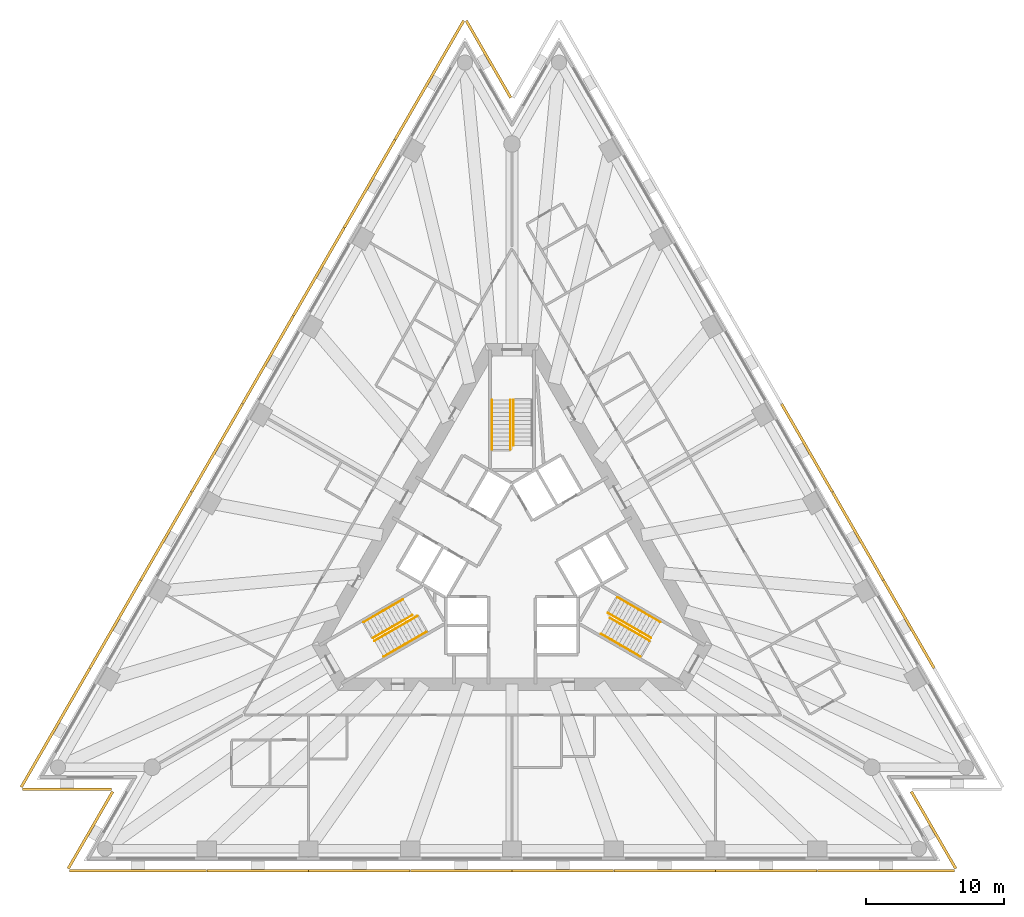
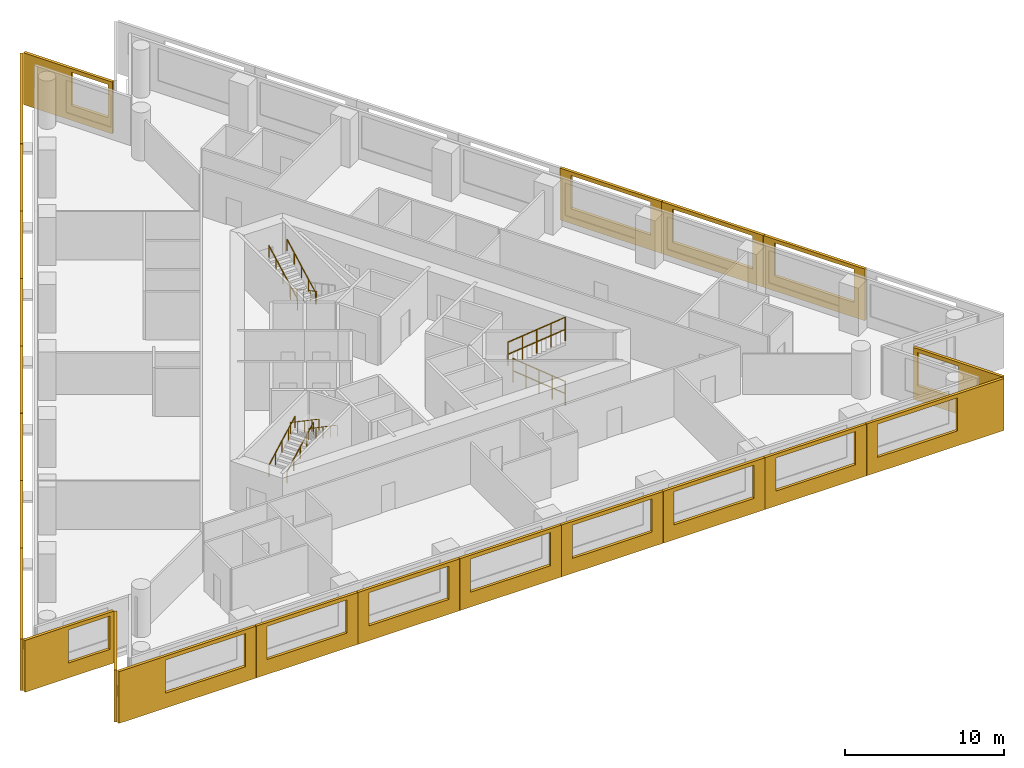
# One storey, part 10 of 11: 23 shading devices, 11 railings, 3 elements without a shape of their own.
"""IFC4 building model written with IfcOpenShell, lengths in metres."""

from ifc_helpers import new_model, si_unit, direction, frame, origin, origin_2d, place, context, subcontext, project, spatial, polyline, circle, outline, extrude, material, layer, layer_set, type_object, element, aggregate, save


model = new_model("IFC4")

# Units and contexts
model_context = context("Model", 3, precision=1e-05, world=origin(), true_north=direction((0.0, 1.0)))
body_context = subcontext(model_context, "Body", "Model", "MODEL_VIEW")
ifc_project = project(units=[si_unit("LENGTHUNIT", "METRE"), si_unit("AREAUNIT", "SQUARE_METRE"), si_unit("VOLUMEUNIT", "CUBIC_METRE"), si_unit("PLANEANGLEUNIT", "RADIAN"), si_unit("MASSUNIT", "GRAM", prefix="KILO")], contexts=[model_context])

# Site, building, storey
site_placement = place(None, origin())
site = spatial("IfcSite", under=ifc_project, at=site_placement, CompositionType="ELEMENT")
building_placement = place(site_placement, origin())
building = spatial("IfcBuilding", under=site, at=building_placement, Name="Triada Interchange Tower", CompositionType="ELEMENT")
storey_placement = place(building_placement, frame((0.0, 0.0, 59.300048828125)))
storey = spatial("IfcBuildingStorey", under=building, at=storey_placement, Name="L12", CompositionType="ELEMENT", Elevation=59.300048828125)

# Shading devices
ifc_material_1 = material(Name="Concrete C50/60 precast", Category="concrete")
ifc_layer_1 = layer(ifc_material_1, 0.02001953125, Name="Exposed aggregate face")
ifc_layer_2 = layer(ifc_material_1, 0.179931640625, Name="Precast concrete screen")
ifc_layer_set = layer_set([ifc_layer_1, ifc_layer_2], Name="Outer skin screen panel 3980")
shading_device_type = type_object("IfcShadingDeviceType", Name="Outer skin screen panel 3980", PredefinedType="SHUTTER", material=ifc_layer_set)
shading_device_1_placement = place(storey_placement, frame((-3.4208984375, 39.10400390625, -0.2900390625), z_axis=(0.0, 0.0, 1.0), x_axis=(-0.500018507784, -0.866014718047, 0.0)))
element("IfcShadingDevice", 1, at=shading_device_1_placement, inside=storey, type_object=shading_device_type, Name="Outer skin screen panel L12 01", PredefinedType="SHUTTER", context=body_context, shape_type="SweptSolid", body=[
    extrude(outline(polyline([(0.0, 0.0), (9.9697265625, 0.0), (9.9697265625, 3.97998046875), (0.0, 3.97998046875), (0.0, 0.0)]), holes=[polyline([(3.383544921875, 1.139892578125), (3.383544921875, 3.68994140625), (9.18359375, 3.68994140625), (9.18359375, 1.139892578125), (3.383544921875, 1.139892578125)])]), frame((0.0, 0.0, 0.0), z_axis=(0.0, -1.0, 0.0), x_axis=(1.0, 0.0, 0.0)), (0.0, 0.0, 1.0), 0.199951171875),
])
shading_device_2_placement = place(storey_placement, frame((-8.416015625, 30.452880859375, -0.2900390625), z_axis=(0.0, 0.0, 1.0), x_axis=(-0.500035896667, -0.866004677842, 0.0)))
element("IfcShadingDevice", 2, at=shading_device_2_placement, inside=storey, type_object=shading_device_type, Name="Outer skin screen panel L12 02", PredefinedType="SHUTTER", context=body_context, shape_type="SweptSolid", body=[
    extrude(outline(polyline([(0.0, 0.0), (7.37158203125, 0.0), (7.37158203125, 3.97998046875), (0.0, 3.97998046875), (0.0, 0.0)]), holes=[polyline([(0.785888671875, 1.139892578125), (0.785888671875, 3.68994140625), (6.585693359375, 3.68994140625), (6.585693359375, 1.139892578125), (0.785888671875, 1.139892578125)])]), frame((0.0, 0.0, 0.0), z_axis=(0.0, -1.0, 0.0), x_axis=(1.0, 0.0, 0.0)), (0.0, 0.0, 1.0), 0.199951171875),
])
shading_device_3_placement = place(storey_placement, frame((-12.112060546875, 24.052001953125, -0.2900390625), z_axis=(0.0, 0.0, 1.0), x_axis=(-0.500021555226, -0.866012958511, 0.0)))
element("IfcShadingDevice", 3, at=shading_device_3_placement, inside=storey, type_object=shading_device_type, Name="Outer skin screen panel L12 03", PredefinedType="SHUTTER", context=body_context, shape_type="SweptSolid", body=[
    extrude(outline(polyline([(0.0, 0.0), (7.371826171875, 0.0), (7.371826171875, 3.97998046875), (0.0, 3.97998046875), (0.0, 0.0)]), holes=[polyline([(0.7861328125, 1.139892578125), (0.7861328125, 3.68994140625), (6.586181640625, 3.68994140625), (6.586181640625, 1.139892578125), (0.7861328125, 1.139892578125)])]), frame((0.0, 0.0, 0.0), z_axis=(0.0, -1.0, 0.0), x_axis=(1.0, 0.0, 0.0)), (0.0, 0.0, 1.0), 0.199951171875),
])
shading_device_4_placement = place(storey_placement, frame((-15.80810546875, 17.64990234375, -0.2900390625), z_axis=(0.0, 0.0, 1.0), x_axis=(-0.500011057729, -0.866019019507, 0.0)))
element("IfcShadingDevice", 4, at=shading_device_4_placement, inside=storey, type_object=shading_device_type, Name="Outer skin screen panel L12 04", PredefinedType="SHUTTER", context=body_context, shape_type="SweptSolid", body=[
    extrude(outline(polyline([(0.0, 0.0), (7.371337890625, 0.0), (7.371337890625, 3.97998046875), (0.0, 3.97998046875), (0.0, 0.0)]), holes=[polyline([(0.785400390625, 1.139892578125), (0.785400390625, 3.68994140625), (6.58544921875, 3.68994140625), (6.58544921875, 1.139892578125), (0.785400390625, 1.139892578125)])]), frame((0.0, 0.0, 0.0), z_axis=(0.0, -1.0, 0.0), x_axis=(1.0, 0.0, 0.0)), (0.0, 0.0, 1.0), 0.199951171875),
])
shading_device_5_placement = place(storey_placement, frame((-19.50390625, 11.2490234375, -0.2900390625), z_axis=(0.0, 0.0, 1.0), x_axis=(-0.499922193019, -0.866070321006, 0.0)))
element("IfcShadingDevice", 5, at=shading_device_5_placement, inside=storey, type_object=shading_device_type, Name="Outer skin screen panel L12 05", PredefinedType="SHUTTER", context=body_context, shape_type="SweptSolid", body=[
    extrude(outline(polyline([(0.0, 0.0), (7.371337890625, 0.0), (7.371337890625, 3.97998046875), (0.0, 3.97998046875), (0.0, 0.0)]), holes=[polyline([(0.785888671875, 1.139892578125), (0.785888671875, 3.68994140625), (6.585693359375, 3.68994140625), (6.585693359375, 1.139892578125), (0.785888671875, 1.139892578125)])]), frame((0.0, 0.0, 0.0), z_axis=(0.0, -1.0, 0.0), x_axis=(1.0, 0.0, 0.0)), (0.0, 0.0, 1.0), 0.199951171875),
])
shading_device_6_placement = place(storey_placement, frame((-23.198974609375, 4.847900390625, -0.2900390625), z_axis=(0.0, 0.0, 1.0), x_axis=(-0.499964196315, -0.866046074065, 0.0)))
element("IfcShadingDevice", 6, at=shading_device_6_placement, inside=storey, type_object=shading_device_type, Name="Outer skin screen panel L12 06", PredefinedType="SHUTTER", context=body_context, shape_type="SweptSolid", body=[
    extrude(outline(polyline([(0.0, 0.0), (7.37255859375, 0.0), (7.37255859375, 3.97998046875), (0.0, 3.97998046875), (0.0, 0.0)]), holes=[polyline([(0.7861328125, 1.139892578125), (0.7861328125, 3.68994140625), (6.586181640625, 3.68994140625), (6.586181640625, 1.139892578125), (0.7861328125, 1.139892578125)])]), frame((0.0, 0.0, 0.0), z_axis=(0.0, -1.0, 0.0), x_axis=(1.0, 0.0, 0.0)), (0.0, 0.0, 1.0), 0.199951171875),
])
shading_device_7_placement = place(storey_placement, frame((-26.89501953125, -1.553955078125, -0.2900390625), z_axis=(0.0, 0.0, 1.0), x_axis=(-0.500021555226, -0.866012958511, 0.0)))
element("IfcShadingDevice", 7, at=shading_device_7_placement, inside=storey, type_object=shading_device_type, Name="Outer skin screen panel L12 07", PredefinedType="SHUTTER", context=body_context, shape_type="SweptSolid", body=[
    extrude(outline(polyline([(0.0, 0.0), (7.371826171875, 0.0), (7.371826171875, 3.97998046875), (0.0, 3.97998046875), (0.0, 0.0)]), holes=[polyline([(0.785400390625, 1.139892578125), (0.785400390625, 3.68994140625), (6.58544921875, 3.68994140625), (6.58544921875, 1.139892578125), (0.785400390625, 1.139892578125)])]), frame((0.0, 0.0, 0.0), z_axis=(0.0, -1.0, 0.0), x_axis=(1.0, 0.0, 0.0)), (0.0, 0.0, 1.0), 0.199951171875),
])
shading_device_8_placement = place(storey_placement, frame((-30.591064453125, -7.955078125, -0.2900390625), z_axis=(0.0, 0.0, 1.0), x_axis=(-0.500000141972, -0.866025321817, 0.0)))
element("IfcShadingDevice", 8, at=shading_device_8_placement, inside=storey, type_object=shading_device_type, Name="Outer skin screen panel L12 08", PredefinedType="SHUTTER", context=body_context, shape_type="SweptSolid", body=[
    extrude(outline(polyline([(0.0, 0.0), (9.9697265625, 0.0), (9.9697265625, 3.97998046875), (0.0, 3.97998046875), (0.0, 0.0)]), holes=[polyline([(0.78564453125, 1.139892578125), (0.78564453125, 3.68994140625), (6.585693359375, 3.68994140625), (6.585693359375, 1.139892578125), (0.78564453125, 1.139892578125)])]), frame((0.0, 0.0, 0.0), z_axis=(0.0, -1.0, 0.0), x_axis=(1.0, 0.0, 0.0)), (0.0, 0.0, 1.0), 0.199951171875),
])
shading_device_9_placement = place(storey_placement, frame((-35.571044921875, -16.597900390625, -0.2900390625), z_axis=(0.0, 0.0, 1.0), x_axis=(1.0, 0.0, 0.0)))
element("IfcShadingDevice", 9, at=shading_device_9_placement, inside=storey, type_object=shading_device_type, Name="Outer skin screen panel L12 09", PredefinedType="SHUTTER", context=body_context, shape_type="SweptSolid", body=[
    extrude(outline(polyline([(0.0, 0.0), (6.466064453125, 0.0), (6.466064453125, 3.97998046875), (0.0, 3.97998046875), (0.0, 0.0)]), holes=[polyline([(3.175048828125, 1.139892578125), (3.175048828125, 3.68994140625), (6.166015625, 3.68994140625), (6.166015625, 1.139892578125), (3.175048828125, 1.139892578125)])]), frame((0.0, 0.0, 0.0), z_axis=(0.0, -1.0, 0.0), x_axis=(1.0, 0.0, 0.0)), (0.0, 0.0, 1.0), 0.199951171875),
])
shading_device_10_placement = place(storey_placement, frame((-28.926025390625, -16.906982421875, -0.2900390625), z_axis=(0.0, 0.0, 1.0), x_axis=(-0.500029706002, -0.866008252337, 0.0)))
element("IfcShadingDevice", 10, at=shading_device_10_placement, inside=storey, type_object=shading_device_type, Name="Outer skin screen panel L12 10", PredefinedType="SHUTTER", context=body_context, shape_type="SweptSolid", body=[
    extrude(outline(polyline([(0.0, 0.0), (6.46533203125, 0.0), (6.46533203125, 3.97998046875), (0.0, 3.97998046875), (0.0, 0.0)]), holes=[polyline([(0.300048828125, 1.139892578125), (0.300048828125, 3.68994140625), (2.9580078125, 3.68994140625), (2.9580078125, 1.139892578125), (0.300048828125, 1.139892578125)])]), frame((0.0, 0.0, 0.0), z_axis=(0.0, -1.0, 0.0), x_axis=(1.0, 0.0, 0.0)), (0.0, 0.0, 1.0), 0.199951171875),
])
shading_device_11_placement = place(storey_placement, frame((-32.154052734375, -22.514892578125, -0.2900390625), z_axis=(0.0, 0.0, 1.0), x_axis=(1.0, 0.0, 0.0)))
element("IfcShadingDevice", 11, at=shading_device_11_placement, inside=storey, type_object=shading_device_type, Name="Outer skin screen panel L12 11", PredefinedType="SHUTTER", context=body_context, shape_type="SweptSolid", body=[
    extrude(outline(polyline([(0.0, 0.0), (9.969970703125, 0.0), (9.969970703125, 3.97998046875), (0.0, 3.97998046875), (0.0, 0.0)]), holes=[polyline([(3.384033203125, 1.139892578125), (3.384033203125, 3.68994140625), (9.18408203125, 3.68994140625), (9.18408203125, 1.139892578125), (3.384033203125, 1.139892578125)])]), frame((0.0, 0.0, 0.0), z_axis=(0.0, -1.0, 0.0), x_axis=(1.0, 0.0, 0.0)), (0.0, 0.0, 1.0), 0.199951171875),
])
shading_device_12_placement = place(storey_placement, frame((-22.1640625, -22.514892578125, -0.2900390625), z_axis=(0.0, 0.0, 1.0), x_axis=(1.0, 0.0, 0.0)))
element("IfcShadingDevice", 12, at=shading_device_12_placement, inside=storey, type_object=shading_device_type, Name="Outer skin screen panel L12 12", PredefinedType="SHUTTER", context=body_context, shape_type="SweptSolid", body=[
    extrude(outline(polyline([(0.0, 0.0), (7.37109375, 0.0), (7.37109375, 3.97998046875), (0.0, 3.97998046875), (0.0, 0.0)]), holes=[polyline([(0.785400390625, 1.139892578125), (0.785400390625, 3.68994140625), (6.58544921875, 3.68994140625), (6.58544921875, 1.139892578125), (0.785400390625, 1.139892578125)])]), frame((0.0, 0.0, 0.0), z_axis=(0.0, -1.0, 0.0), x_axis=(1.0, 0.0, 0.0)), (0.0, 0.0, 1.0), 0.199951171875),
])
shading_device_13_placement = place(storey_placement, frame((-14.77294921875, -22.514892578125, -0.2900390625), z_axis=(0.0, 0.0, 1.0), x_axis=(1.0, 0.0, 0.0)))
element("IfcShadingDevice", 13, at=shading_device_13_placement, inside=storey, type_object=shading_device_type, Name="Outer skin screen panel L12 13", PredefinedType="SHUTTER", context=body_context, shape_type="SweptSolid", body=[
    extrude(outline(polyline([(0.0, 0.0), (7.370849609375, 0.0), (7.370849609375, 3.97998046875), (0.0, 3.97998046875), (0.0, 0.0)]), holes=[polyline([(0.785888671875, 1.139892578125), (0.785888671875, 3.68994140625), (6.5859375, 3.68994140625), (6.5859375, 1.139892578125), (0.785888671875, 1.139892578125)])]), frame((0.0, 0.0, 0.0), z_axis=(0.0, -1.0, 0.0), x_axis=(1.0, 0.0, 0.0)), (0.0, 0.0, 1.0), 0.199951171875),
])
shading_device_14_placement = place(storey_placement, frame((-7.381103515625, -22.514892578125, -0.2900390625), z_axis=(0.0, 0.0, 1.0), x_axis=(1.0, 0.0, 0.0)))
element("IfcShadingDevice", 14, at=shading_device_14_placement, inside=storey, type_object=shading_device_type, Name="Outer skin screen panel L12 14", PredefinedType="SHUTTER", context=body_context, shape_type="SweptSolid", body=[
    extrude(outline(polyline([(0.0, 0.0), (7.37109375, 0.0), (7.37109375, 3.97998046875), (0.0, 3.97998046875), (0.0, 0.0)]), holes=[polyline([(0.785400390625, 1.139892578125), (0.785400390625, 3.68994140625), (6.58544921875, 3.68994140625), (6.58544921875, 1.139892578125), (0.785400390625, 1.139892578125)])]), frame((0.0, 0.0, 0.0), z_axis=(0.0, -1.0, 0.0), x_axis=(1.0, 0.0, 0.0)), (0.0, 0.0, 1.0), 0.199951171875),
])
shading_device_15_placement = place(storey_placement, frame((0.010009765625, -22.514892578125, -0.2900390625), z_axis=(0.0, 0.0, 1.0), x_axis=(1.0, 0.0, 0.0)))
element("IfcShadingDevice", 15, at=shading_device_15_placement, inside=storey, type_object=shading_device_type, Name="Outer skin screen panel L12 15", PredefinedType="SHUTTER", context=body_context, shape_type="SweptSolid", body=[
    extrude(outline(polyline([(0.0, 0.0), (7.37109375, 0.0), (7.37109375, 3.97998046875), (0.0, 3.97998046875), (0.0, 0.0)]), holes=[polyline([(0.785888671875, 1.139892578125), (0.785888671875, 3.68994140625), (6.5859375, 3.68994140625), (6.5859375, 1.139892578125), (0.785888671875, 1.139892578125)])]), frame((0.0, 0.0, 0.0), z_axis=(0.0, -1.0, 0.0), x_axis=(1.0, 0.0, 0.0)), (0.0, 0.0, 1.0), 0.199951171875),
])
shading_device_16_placement = place(storey_placement, frame((7.40087890625, -22.514892578125, -0.2900390625), z_axis=(0.0, 0.0, 1.0), x_axis=(1.0, 0.0, 0.0)))
element("IfcShadingDevice", 16, at=shading_device_16_placement, inside=storey, type_object=shading_device_type, Name="Outer skin screen panel L12 16", PredefinedType="SHUTTER", context=body_context, shape_type="SweptSolid", body=[
    extrude(outline(polyline([(0.0, 0.0), (7.3720703125, 0.0), (7.3720703125, 3.97998046875), (0.0, 3.97998046875), (0.0, 0.0)]), holes=[polyline([(0.785400390625, 1.139892578125), (0.785400390625, 3.68994140625), (6.58544921875, 3.68994140625), (6.58544921875, 1.139892578125), (0.785400390625, 1.139892578125)])]), frame((0.0, 0.0, 0.0), z_axis=(0.0, -1.0, 0.0), x_axis=(1.0, 0.0, 0.0)), (0.0, 0.0, 1.0), 0.199951171875),
])
shading_device_17_placement = place(storey_placement, frame((14.79296875, -22.514892578125, -0.2900390625), z_axis=(0.0, 0.0, 1.0), x_axis=(1.0, 0.0, 0.0)))
element("IfcShadingDevice", 17, at=shading_device_17_placement, inside=storey, type_object=shading_device_type, Name="Outer skin screen panel L12 17", PredefinedType="SHUTTER", context=body_context, shape_type="SweptSolid", body=[
    extrude(outline(polyline([(0.0, 0.0), (7.37109375, 0.0), (7.37109375, 3.97998046875), (0.0, 3.97998046875), (0.0, 0.0)]), holes=[polyline([(0.785888671875, 1.139892578125), (0.785888671875, 3.68994140625), (6.5859375, 3.68994140625), (6.5859375, 1.139892578125), (0.785888671875, 1.139892578125)])]), frame((0.0, 0.0, 0.0), z_axis=(0.0, -1.0, 0.0), x_axis=(1.0, 0.0, 0.0)), (0.0, 0.0, 1.0), 0.199951171875),
])
shading_device_18_placement = place(storey_placement, frame((22.18408203125, -22.514892578125, -0.2900390625), z_axis=(0.0, 0.0, 1.0), x_axis=(1.0, 0.0, 0.0)))
element("IfcShadingDevice", 18, at=shading_device_18_placement, inside=storey, type_object=shading_device_type, Name="Outer skin screen panel L12 18", PredefinedType="SHUTTER", context=body_context, shape_type="SweptSolid", body=[
    extrude(outline(polyline([(0.0, 0.0), (9.969970703125, 0.0), (9.969970703125, 3.97998046875), (0.0, 3.97998046875), (0.0, 0.0)]), holes=[polyline([(0.785400390625, 1.139892578125), (0.785400390625, 3.68994140625), (6.58544921875, 3.68994140625), (6.58544921875, 1.139892578125), (0.785400390625, 1.139892578125)])]), frame((0.0, 0.0, 0.0), z_axis=(0.0, -1.0, 0.0), x_axis=(1.0, 0.0, 0.0)), (0.0, 0.0, 1.0), 0.199951171875),
])
shading_device_19_placement = place(storey_placement, frame((32.158935546875, -22.506103515625, -0.2900390625), z_axis=(0.0, 0.0, 1.0), x_axis=(-0.500029706002, 0.866008252337, 0.0)))
element("IfcShadingDevice", 19, at=shading_device_19_placement, inside=storey, type_object=shading_device_type, Name="Outer skin screen panel L12 19", PredefinedType="SHUTTER", context=body_context, shape_type="SweptSolid", body=[
    extrude(outline(polyline([(0.0, 0.0), (6.46533203125, 0.0), (6.46533203125, 3.97998046875), (0.0, 3.97998046875), (0.0, 0.0)]), holes=[polyline([(3.17529296875, 1.139892578125), (3.17529296875, 3.68994140625), (6.16552734375, 3.68994140625), (6.16552734375, 1.139892578125), (3.17529296875, 1.139892578125)])]), frame((0.0, 0.0, 0.0), z_axis=(0.0, -1.0, 0.0), x_axis=(1.0, 0.0, 0.0)), (0.0, 0.0, 1.0), 0.199951171875),
])
shading_device_20_placement = place(storey_placement, frame((30.5810546875, -7.93798828125, -0.2900390625), z_axis=(0.0, 0.0, 1.0), x_axis=(-0.500021555226, 0.866012958511, 0.0)))
element("IfcShadingDevice", 20, at=shading_device_20_placement, inside=storey, type_object=shading_device_type, Name="Outer skin screen panel L12 22", PredefinedType="SHUTTER", context=body_context, shape_type="SweptSolid", body=[
    extrude(outline(polyline([(0.0, 0.0), (7.371826171875, 0.0), (7.371826171875, 3.97998046875), (0.0, 3.97998046875), (0.0, 0.0)]), holes=[polyline([(0.785400390625, 1.139892578125), (0.785400390625, 3.68994140625), (6.58544921875, 3.68994140625), (6.58544921875, 1.139892578125), (0.785400390625, 1.139892578125)])]), frame((0.0, 0.0, 0.0), z_axis=(0.0, -1.0, 0.0), x_axis=(1.0, 0.0, 0.0)), (0.0, 0.0, 1.0), 0.199951171875),
])
shading_device_21_placement = place(storey_placement, frame((26.885009765625, -1.537109375, -0.2900390625), z_axis=(0.0, 0.0, 1.0), x_axis=(-0.499964196315, 0.866046074065, 0.0)))
element("IfcShadingDevice", 21, at=shading_device_21_placement, inside=storey, type_object=shading_device_type, Name="Outer skin screen panel L12 23", PredefinedType="SHUTTER", context=body_context, shape_type="SweptSolid", body=[
    extrude(outline(polyline([(0.0, 0.0), (7.37255859375, 0.0), (7.37255859375, 3.97998046875), (0.0, 3.97998046875), (0.0, 0.0)]), holes=[polyline([(0.785888671875, 1.139892578125), (0.785888671875, 3.68994140625), (6.585693359375, 3.68994140625), (6.585693359375, 1.139892578125), (0.785888671875, 1.139892578125)])]), frame((0.0, 0.0, 0.0), z_axis=(0.0, -1.0, 0.0), x_axis=(1.0, 0.0, 0.0)), (0.0, 0.0, 1.0), 0.199951171875),
])
shading_device_22_placement = place(storey_placement, frame((23.18896484375, 4.864990234375, -0.2900390625), z_axis=(0.0, 0.0, 1.0), x_axis=(-0.499922193019, 0.866070321006, 0.0)))
element("IfcShadingDevice", 22, at=shading_device_22_placement, inside=storey, type_object=shading_device_type, Name="Outer skin screen panel L12 24", PredefinedType="SHUTTER", context=body_context, shape_type="SweptSolid", body=[
    extrude(outline(polyline([(0.0, 0.0), (7.371337890625, 0.0), (7.371337890625, 3.97998046875), (0.0, 3.97998046875), (0.0, 0.0)]), holes=[polyline([(0.7861328125, 1.139892578125), (0.7861328125, 3.68994140625), (6.586181640625, 3.68994140625), (6.586181640625, 1.139892578125), (0.7861328125, 1.139892578125)])]), frame((0.0, 0.0, 0.0), z_axis=(0.0, -1.0, 0.0), x_axis=(1.0, 0.0, 0.0)), (0.0, 0.0, 1.0), 0.199951171875),
])
shading_device_23_placement = place(storey_placement, frame((-0.177978515625, 33.5048828125, -0.2900390625), z_axis=(0.0, 0.0, 1.0), x_axis=(-0.500029706002, 0.866008252337, 0.0)))
element("IfcShadingDevice", 23, at=shading_device_23_placement, inside=storey, type_object=shading_device_type, Name="Outer skin screen panel L12 30", PredefinedType="SHUTTER", context=body_context, shape_type="SweptSolid", body=[
    extrude(outline(polyline([(0.0, 0.0), (6.46533203125, 0.0), (6.46533203125, 3.97998046875), (0.0, 3.97998046875), (0.0, 0.0)]), holes=[polyline([(0.300048828125, 1.139892578125), (0.300048828125, 3.68994140625), (2.9580078125, 3.68994140625), (2.9580078125, 1.139892578125), (0.300048828125, 1.139892578125)])]), frame((0.0, 0.0, 0.0), z_axis=(0.0, -1.0, 0.0), x_axis=(1.0, 0.0, 0.0)), (0.0, 0.0, 1.0), 0.199951171875),
])

# Stair, railings
ifc_material_2 = material(Name="Concrete C35/45", Category="concrete")
stair_type = type_object("IfcStairType", Name="HALF TURN STAIR 1400", PredefinedType="HALF_TURN_STAIR", material=ifc_material_2)
stair_1_placement = place(storey_placement, origin())
stair_1 = element("IfcStair", 24, at=stair_1_placement, inside=storey, type_object=stair_type, Name="Exit stair S12-1", PredefinedType="HALF_TURN_STAIR")
ifc_material_3 = material(Name="Stainless steel 1.4301", Category="steel")
railing_type = type_object("IfcRailingType", Name="STAIR HANDRAIL 900", PredefinedType="HANDRAIL", material=ifc_material_3)
railing_1_placement = place(storey_placement, frame((0.1201171875, 11.60009765625, 0.159912109375)))
railing_1 = element("IfcRailing", 25, at=railing_1_placement, type_object=railing_type, Name="Handrail S12-1 1C", PredefinedType="HANDRAIL", context=body_context, shape_type="SweptSolid", body=[
    extrude(circle(Radius=0.02392578125, at=origin_2d()), frame((0.0, 0.0, 0.8759765625), z_axis=(0.0, -0.882354748157, 0.47058484719), x_axis=(1.0, 0.0, 0.0)), (0.0, 0.0, 1.0), 3.739990234375),
    extrude(circle(Radius=0.02099609375, at=origin_2d()), origin(), (0.0, 0.0, 1.0), 0.851806640625),
    extrude(circle(Radius=0.02099609375, at=origin_2d()), frame((0.0, -0.824951171875, 0.43994140625)), (0.0, 0.0, 1.0), 0.851806640625),
    extrude(circle(Radius=0.02099609375, at=origin_2d()), frame((0.0, -1.64990234375, 0.8798828125)), (0.0, 0.0, 1.0), 0.851806640625),
    extrude(circle(Radius=0.02099609375, at=origin_2d()), frame((0.0, -2.47509765625, 1.320068359375)), (0.0, 0.0, 1.0), 0.851806640625),
    extrude(circle(Radius=0.02099609375, at=origin_2d()), frame((0.0, -3.300048828125, 1.760009765625)), (0.0, 0.0, 1.0), 0.851806640625),
])
railing_2_placement = place(storey_placement, frame((-1.449951171875, 8.0, 2.079833984375)))
railing_2 = element("IfcRailing", 26, at=railing_2_placement, type_object=railing_type, Name="Handrail S12-1 2W", PredefinedType="HANDRAIL", context=body_context, shape_type="SweptSolid", body=[
    extrude(circle(Radius=0.02392578125, at=origin_2d()), frame((0.0, 0.0, 0.8759765625), z_axis=(0.0, 0.882341346394, 0.470609974867), x_axis=(-1.0, 0.0, 0.0)), (0.0, 0.0, 1.0), 4.080078125),
    extrude(circle(Radius=0.02099609375, at=origin_2d()), origin(), (0.0, 0.0, 1.0), 0.851806640625),
    extrude(circle(Radius=0.02099609375, at=origin_2d()), frame((0.0, 0.89990234375, 0.47998046875)), (0.0, 0.0, 1.0), 0.851806640625),
    extrude(circle(Radius=0.02099609375, at=origin_2d()), frame((0.0, 1.800048828125, 0.9599609375)), (0.0, 0.0, 1.0), 0.851806640625),
    extrude(circle(Radius=0.02099609375, at=origin_2d()), frame((0.0, 2.7001953125, 1.440185546875)), (0.0, 0.0, 1.0), 0.851806640625),
    extrude(circle(Radius=0.02099609375, at=origin_2d()), frame((0.0, 3.60009765625, 1.920166015625)), (0.0, 0.0, 1.0), 0.851806640625),
])
railing_3_placement = place(storey_placement, frame((-0.1201171875, 8.0, 2.079833984375)))
railing_3 = element("IfcRailing", 27, at=railing_3_placement, type_object=railing_type, Name="Handrail S12-1 2C", PredefinedType="HANDRAIL", context=body_context, shape_type="SweptSolid", body=[
    extrude(circle(Radius=0.02392578125, at=origin_2d()), frame((0.0, 0.0, 0.8759765625), z_axis=(0.0, 0.882341346394, 0.470609974867), x_axis=(-1.0, 0.0, 0.0)), (0.0, 0.0, 1.0), 4.080078125),
    extrude(circle(Radius=0.02099609375, at=origin_2d()), origin(), (0.0, 0.0, 1.0), 0.851806640625),
    extrude(circle(Radius=0.02099609375, at=origin_2d()), frame((0.0, 0.89990234375, 0.47998046875)), (0.0, 0.0, 1.0), 0.851806640625),
    extrude(circle(Radius=0.02099609375, at=origin_2d()), frame((0.0, 1.800048828125, 0.9599609375)), (0.0, 0.0, 1.0), 0.851806640625),
    extrude(circle(Radius=0.02099609375, at=origin_2d()), frame((0.0, 2.7001953125, 1.440185546875)), (0.0, 0.0, 1.0), 0.851806640625),
    extrude(circle(Radius=0.02099609375, at=origin_2d()), frame((0.0, 3.60009765625, 1.920166015625)), (0.0, 0.0, 1.0), 0.851806640625),
])
aggregate(stair_1, [railing_1, railing_2, railing_3])

stair_2_placement = place(storey_placement, origin())
stair_2 = element("IfcStair", 28, at=stair_2_placement, inside=storey, type_object=stair_type, Name="Exit stair S12-2", PredefinedType="HALF_TURN_STAIR")
railing_4_placement = place(storey_placement, frame((-10.77099609375, -4.5439453125, 0.159912109375)))
railing_4 = element("IfcRailing", 29, at=railing_4_placement, type_object=railing_type, Name="Handrail S12-2 1W", PredefinedType="HANDRAIL", context=body_context, shape_type="SweptSolid", body=[
    extrude(circle(Radius=0.02392578125, at=origin_2d()), frame((0.0, 0.0, 0.8759765625), z_axis=(0.764150854273, 0.441152526326, 0.470593158077), x_axis=(-0.499974350878, 0.866040211805, 0.0)), (0.0, 0.0, 1.0), 3.739990234375),
    extrude(circle(Radius=0.02099609375, at=origin_2d()), origin(), (0.0, 0.0, 1.0), 0.851806640625),
    extrude(circle(Radius=0.02099609375, at=origin_2d()), frame((0.71435546875, 0.41259765625, 0.43994140625)), (0.0, 0.0, 1.0), 0.851806640625),
    extrude(circle(Radius=0.02099609375, at=origin_2d()), frame((1.428955078125, 0.824951171875, 0.8798828125)), (0.0, 0.0, 1.0), 0.851806640625),
    extrude(circle(Radius=0.02099609375, at=origin_2d()), frame((2.1435546875, 1.2373046875, 1.320068359375)), (0.0, 0.0, 1.0), 0.851806640625),
    extrude(circle(Radius=0.02099609375, at=origin_2d()), frame((2.85791015625, 1.64990234375, 1.760009765625)), (0.0, 0.0, 1.0), 0.851806640625),
])
railing_5_placement = place(storey_placement, frame((-10.10595703125, -5.696044921875, 0.159912109375)))
railing_5 = element("IfcRailing", 30, at=railing_5_placement, type_object=railing_type, Name="Handrail S12-2 1C", PredefinedType="HANDRAIL", context=body_context, shape_type="SweptSolid", body=[
    extrude(circle(Radius=0.02392578125, at=origin_2d()), frame((0.0, 0.0, 0.8759765625), z_axis=(0.76412884773, 0.441205098395, 0.470579605611), x_axis=(-0.50002983664, 0.866008176907, 0.0)), (0.0, 0.0, 1.0), 3.739990234375),
    extrude(circle(Radius=0.02099609375, at=origin_2d()), origin(), (0.0, 0.0, 1.0), 0.851806640625),
    extrude(circle(Radius=0.02099609375, at=origin_2d()), frame((0.71435546875, 0.41259765625, 0.43994140625)), (0.0, 0.0, 1.0), 0.851806640625),
    extrude(circle(Radius=0.02099609375, at=origin_2d()), frame((1.428955078125, 0.8251953125, 0.8798828125)), (0.0, 0.0, 1.0), 0.851806640625),
    extrude(circle(Radius=0.02099609375, at=origin_2d()), frame((2.1435546875, 1.237548828125, 1.320068359375)), (0.0, 0.0, 1.0), 0.851806640625),
    extrude(circle(Radius=0.02099609375, at=origin_2d()), frame((2.85791015625, 1.650146484375, 1.760009765625)), (0.0, 0.0, 1.0), 0.851806640625),
])
railing_6_placement = place(storey_placement, frame((-6.202880859375, -5.256103515625, 2.079833984375)))
railing_6 = element("IfcRailing", 31, at=railing_6_placement, type_object=railing_type, Name="Handrail S12-2 2W", PredefinedType="HANDRAIL", context=body_context, shape_type="SweptSolid", body=[
    extrude(circle(Radius=0.02392578125, at=origin_2d()), frame((0.0, 0.0, 0.8759765625), z_axis=(-0.764189758314, -0.441090424232, 0.470588196769), x_axis=(0.499902469156, -0.866081705922, 0.0)), (0.0, 0.0, 1.0), 4.080322265625),
    extrude(circle(Radius=0.02099609375, at=origin_2d()), origin(), (0.0, 0.0, 1.0), 0.851806640625),
    extrude(circle(Radius=0.02099609375, at=origin_2d()), frame((-0.779541015625, -0.449951171875, 0.47998046875)), (0.0, 0.0, 1.0), 0.851806640625),
    extrude(circle(Radius=0.02099609375, at=origin_2d()), frame((-1.55908203125, -0.89990234375, 0.9599609375)), (0.0, 0.0, 1.0), 0.851806640625),
    extrude(circle(Radius=0.02099609375, at=origin_2d()), frame((-2.338623046875, -1.349853515625, 1.440185546875)), (0.0, 0.0, 1.0), 0.851806640625),
    extrude(circle(Radius=0.02099609375, at=origin_2d()), frame((-3.1181640625, -1.7998046875, 1.920166015625)), (0.0, 0.0, 1.0), 0.851806640625),
])
railing_7_placement = place(storey_placement, frame((-6.867919921875, -4.10400390625, 2.079833984375)))
railing_7 = element("IfcRailing", 32, at=railing_7_placement, type_object=railing_type, Name="Handrail S12-2 2C", PredefinedType="HANDRAIL", context=body_context, shape_type="SweptSolid", body=[
    extrude(circle(Radius=0.02392578125, at=origin_2d()), frame((0.0, 0.0, 0.8759765625), z_axis=(-0.764169589359, -0.441138614339, 0.470575776723), x_axis=(0.49995333141, -0.866052346231, 0.0)), (0.0, 0.0, 1.0), 4.08056640625),
    extrude(circle(Radius=0.02099609375, at=origin_2d()), origin(), (0.0, 0.0, 1.0), 0.851806640625),
    extrude(circle(Radius=0.02099609375, at=origin_2d()), frame((-0.779541015625, -0.449951171875, 0.47998046875)), (0.0, 0.0, 1.0), 0.851806640625),
    extrude(circle(Radius=0.02099609375, at=origin_2d()), frame((-1.55908203125, -0.89990234375, 0.9599609375)), (0.0, 0.0, 1.0), 0.851806640625),
    extrude(circle(Radius=0.02099609375, at=origin_2d()), frame((-2.338623046875, -1.35009765625, 1.440185546875)), (0.0, 0.0, 1.0), 0.851806640625),
    extrude(circle(Radius=0.02099609375, at=origin_2d()), frame((-3.1181640625, -1.800048828125, 1.920166015625)), (0.0, 0.0, 1.0), 0.851806640625),
])
aggregate(stair_2, [railing_4, railing_5, railing_6, railing_7])

stair_3_placement = place(storey_placement, origin())
stair_3 = element("IfcStair", 33, at=stair_3_placement, inside=storey, type_object=stair_type, Name="Exit stair S12-3", PredefinedType="HALF_TURN_STAIR")
railing_8_placement = place(storey_placement, frame((9.321044921875, -7.055908203125, 0.159912109375)))
railing_8 = element("IfcRailing", 34, at=railing_8_placement, type_object=railing_type, Name="Handrail S12-3 1W", PredefinedType="HANDRAIL", context=body_context, shape_type="SweptSolid", body=[
    extrude(circle(Radius=0.02392578125, at=origin_2d()), frame((0.0, 0.0, 0.8759765625), z_axis=(-0.764178012919, 0.441130521168, 0.470569684388), x_axis=(-0.499942318283, -0.866058703778, 0.0)), (0.0, 0.0, 1.0), 3.740234375),
    extrude(circle(Radius=0.02099609375, at=origin_2d()), origin(), (0.0, 0.0, 1.0), 0.851806640625),
    extrude(circle(Radius=0.02099609375, at=origin_2d()), frame((-0.714599609375, 0.41259765625, 0.43994140625)), (0.0, 0.0, 1.0), 0.851806640625),
    extrude(circle(Radius=0.02099609375, at=origin_2d()), frame((-1.42919921875, 0.824951171875, 0.8798828125)), (0.0, 0.0, 1.0), 0.851806640625),
    extrude(circle(Radius=0.02099609375, at=origin_2d()), frame((-2.1435546875, 1.2373046875, 1.320068359375)), (0.0, 0.0, 1.0), 0.851806640625),
    extrude(circle(Radius=0.02099609375, at=origin_2d()), frame((-2.858154296875, 1.64990234375, 1.760009765625)), (0.0, 0.0, 1.0), 0.851806640625),
])
railing_9_placement = place(storey_placement, frame((9.986083984375, -5.904052734375, 0.159912109375)))
railing_9 = element("IfcRailing", 35, at=railing_9_placement, type_object=railing_type, Name="Handrail S12-3 1C", PredefinedType="HANDRAIL", context=body_context, shape_type="SweptSolid", body=[
    extrude(circle(Radius=0.02392578125, at=origin_2d()), frame((0.0, 0.0, 0.8759765625), z_axis=(-0.764156007789, 0.441183091881, 0.47055613395), x_axis=(-0.49999780286, -0.8660266723, 0.0)), (0.0, 0.0, 1.0), 3.740234375),
    extrude(circle(Radius=0.02099609375, at=origin_2d()), origin(), (0.0, 0.0, 1.0), 0.851806640625),
    extrude(circle(Radius=0.02099609375, at=origin_2d()), frame((-0.714599609375, 0.41259765625, 0.43994140625)), (0.0, 0.0, 1.0), 0.851806640625),
    extrude(circle(Radius=0.02099609375, at=origin_2d()), frame((-1.42919921875, 0.8251953125, 0.8798828125)), (0.0, 0.0, 1.0), 0.851806640625),
    extrude(circle(Radius=0.02099609375, at=origin_2d()), frame((-2.1435546875, 1.237548828125, 1.320068359375)), (0.0, 0.0, 1.0), 0.851806640625),
    extrude(circle(Radius=0.02099609375, at=origin_2d()), frame((-2.858154296875, 1.650146484375, 1.760009765625)), (0.0, 0.0, 1.0), 0.851806640625),
])
railing_10_placement = place(storey_placement, frame((7.653076171875, -2.743896484375, 2.079833984375)))
railing_10 = element("IfcRailing", 36, at=railing_10_placement, type_object=railing_type, Name="Handrail S12-3 2W", PredefinedType="HANDRAIL", context=body_context, shape_type="SweptSolid", body=[
    extrude(circle(Radius=0.02392578125, at=origin_2d()), frame((0.0, 0.0, 0.8759765625), z_axis=(0.76414469501, -0.441158784458, 0.470597292793), x_axis=(0.499982693035, 0.866035395735, 0.0)), (0.0, 0.0, 1.0), 4.080322265625),
    extrude(circle(Radius=0.02099609375, at=origin_2d()), origin(), (0.0, 0.0, 1.0), 0.851806640625),
    extrude(circle(Radius=0.02099609375, at=origin_2d()), frame((0.779541015625, -0.449951171875, 0.47998046875)), (0.0, 0.0, 1.0), 0.851806640625),
    extrude(circle(Radius=0.02099609375, at=origin_2d()), frame((1.55908203125, -0.89990234375, 0.9599609375)), (0.0, 0.0, 1.0), 0.851806640625),
    extrude(circle(Radius=0.02099609375, at=origin_2d()), frame((2.33837890625, -1.35009765625, 1.440185546875)), (0.0, 0.0, 1.0), 0.851806640625),
    extrude(circle(Radius=0.02099609375, at=origin_2d()), frame((3.117919921875, -1.800048828125, 1.920166015625)), (0.0, 0.0, 1.0), 0.851806640625),
])
railing_11_placement = place(storey_placement, frame((6.988037109375, -3.89599609375, 2.079833984375)))
railing_11 = element("IfcRailing", 37, at=railing_11_placement, type_object=railing_type, Name="Handrail S12-3 2C", PredefinedType="HANDRAIL", context=body_context, shape_type="SweptSolid", body=[
    extrude(circle(Radius=0.02392578125, at=origin_2d()), frame((0.0, 0.0, 0.8759765625), z_axis=(0.76414469501, -0.441158784458, 0.470597292793), x_axis=(0.499982693035, 0.866035395735, 0.0)), (0.0, 0.0, 1.0), 4.080322265625),
    extrude(circle(Radius=0.02099609375, at=origin_2d()), origin(), (0.0, 0.0, 1.0), 0.851806640625),
    extrude(circle(Radius=0.02099609375, at=origin_2d()), frame((0.779541015625, -0.449951171875, 0.47998046875)), (0.0, 0.0, 1.0), 0.851806640625),
    extrude(circle(Radius=0.02099609375, at=origin_2d()), frame((1.55908203125, -0.89990234375, 0.9599609375)), (0.0, 0.0, 1.0), 0.851806640625),
    extrude(circle(Radius=0.02099609375, at=origin_2d()), frame((2.33837890625, -1.35009765625, 1.440185546875)), (0.0, 0.0, 1.0), 0.851806640625),
    extrude(circle(Radius=0.02099609375, at=origin_2d()), frame((3.117919921875, -1.800048828125, 1.920166015625)), (0.0, 0.0, 1.0), 0.851806640625),
])
aggregate(stair_3, [railing_8, railing_9, railing_10, railing_11])

save(model, "model.ifc")
